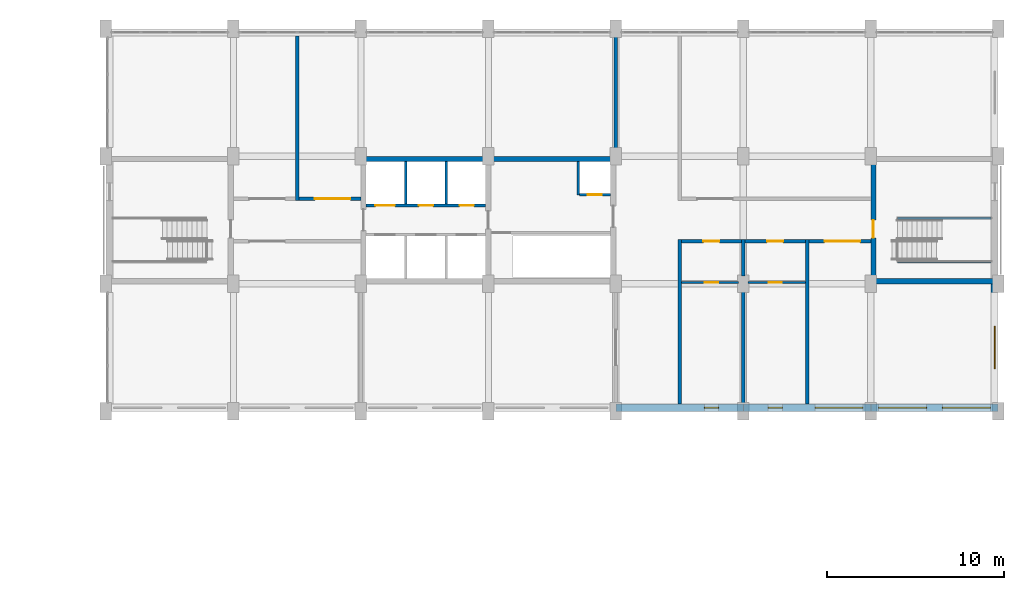
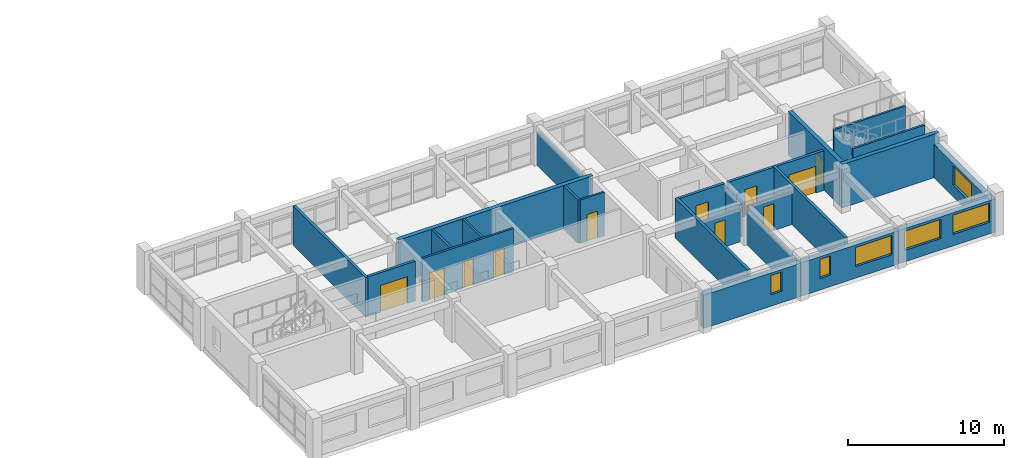
# One storey, part 16 of 19: 26 walls, 11 doors, 6 windows, 17 openings.
"""IFC4 building model written with IfcOpenShell, lengths in metres."""

import ifcopenshell
import ifcopenshell.guid

model = None  # the IFC model being written
_history = None  # IfcOwnerHistory: only IFC2X3 demands one
_inside = {}  # id of a spatial element -> (the spatial element, [elements in it])
_under = {}  # id of a project, library or spatial element -> (it, [spatial elements below it])
_declared = {}  # id of a project -> (the project, [libraries it declares])
_typed = {}  # id of a type object -> (the type object, [elements of that type])
_made_of = {}  # id of a material, layer set ... -> (it, [elements and type objects made of it])


def new_model(schema):
    """Start an empty IFC model of exactly this schema.

    Asked for "IFC4X3", IfcOpenShell would pick the latest addendum, in which some entities
    have other attributes; the version numbers below select the first issue.
    IFC2X3 requires an IfcOwnerHistory on every rooted entity: one is made here for all.
    """
    global model, _history
    if schema == "IFC4X3":
        model = ifcopenshell.file(schema_version=(4, 3, 0, 0))
    else:
        model = ifcopenshell.file(schema=schema)
    _inside.clear()
    _under.clear()
    _declared.clear()
    _typed.clear()
    _made_of.clear()
    _history = None
    if model.schema == "IFC2X3":
        org = make("IfcOrganization", Name="unknown")
        user = make(
            "IfcPersonAndOrganization",
            ThePerson=make("IfcPerson", FamilyName="unknown"),
            TheOrganization=org,
        )
        app = make(
            "IfcApplication",
            ApplicationDeveloper=org,
            Version="unknown",
            ApplicationFullName="unknown",
            ApplicationIdentifier="unknown",
        )
        _history = make(
            "IfcOwnerHistory",
            OwningUser=user,
            OwningApplication=app,
            ChangeAction="ADDED",
            CreationDate=0,
        )
    return model


def make(cls, **values):
    """One entity of the class cls with the attributes given. An attribute that is None is left unset."""
    return model.create_entity(
        cls, **{name: value for name, value in values.items() if value is not None}
    )


def rooted(cls, **values):
    """An entity with a GlobalId (a new one), such as an element, a storey or a relation."""
    return make(cls, GlobalId=ifcopenshell.guid.new(), OwnerHistory=_history, **values)


def si_unit(unit_type, name, prefix=None):
    """IfcSIUnit, for example si_unit("LENGTHUNIT", "METRE", prefix="MILLI")."""
    return make("IfcSIUnit", UnitType=unit_type, Prefix=prefix, Name=name)


def assignment(units):
    """IfcUnitAssignment: the units of a project."""
    return None if units is None else make("IfcUnitAssignment", Units=units)


def point(xyz):
    """IfcCartesianPoint."""
    return None if xyz is None else make("IfcCartesianPoint", Coordinates=xyz)


def direction(xyz):
    """IfcDirection."""
    return None if xyz is None else make("IfcDirection", DirectionRatios=xyz)


def frame(location, z_axis=None, x_axis=None):
    """IfcAxis2Placement3D, a coordinate frame: its origin and axes. An axis left out is left unset."""
    return make(
        "IfcAxis2Placement3D",
        Location=point(location),
        Axis=direction(z_axis),
        RefDirection=direction(x_axis),
    )


def frame_2d(location, x_axis=None):
    """IfcAxis2Placement2D, a coordinate frame in the plane: its origin and x axis."""
    return make(
        "IfcAxis2Placement2D", Location=point(location), RefDirection=direction(x_axis)
    )


def origin():
    """The frame at (0, 0, 0) with its axes left unset."""
    return frame((0.0, 0.0, 0.0))


def place(relative_to, where):
    """IfcLocalPlacement: puts the frame where relative to a parent placement (None: the world)."""
    return make(
        "IfcLocalPlacement", PlacementRelTo=relative_to, RelativePlacement=where
    )


def context(
    kind, dimensions, precision=None, world=None, true_north=None, identifier=None
):
    """IfcGeometricRepresentationContext, for example the 3D "Model" context."""
    return make(
        "IfcGeometricRepresentationContext",
        ContextIdentifier=identifier,
        ContextType=kind,
        CoordinateSpaceDimension=dimensions,
        Precision=precision,
        WorldCoordinateSystem=world,
        TrueNorth=true_north,
    )


def subcontext(parent, identifier, kind, view, scale=None):
    """IfcGeometricRepresentationSubContext, for example "Body" below "Model"."""
    return make(
        "IfcGeometricRepresentationSubContext",
        ContextIdentifier=identifier,
        ContextType=kind,
        ParentContext=parent,
        TargetScale=scale,
        TargetView=view,
    )


def project(units=None, contexts=None):
    """IfcProject with its units and contexts."""
    return rooted(
        "IfcProject",
        Name="project",
        RepresentationContexts=contexts,
        UnitsInContext=assignment(units),
    )


def spatial(cls, under=None, at=None, **own):
    """A site, building, storey or space (cls), placed at a placement, below another one or the project."""
    s = rooted(cls, ObjectPlacement=at, **own)
    if under is not None:
        _under.setdefault(under.id(), (under, []))[1].append(s)
    return s


def profile(cls, at=None, kind="AREA", **sizes):
    """A parametric profile (cls). Its sizes go by their IFC names, for example OverallWidth=200.0."""
    return make(cls, ProfileType=kind, Position=at, **sizes)


def rectangle(**sizes):
    """IfcRectangleProfileDef."""
    return profile("IfcRectangleProfileDef", **sizes)


def extrude(swept, where, along, depth):
    """IfcExtrudedAreaSolid: the profile swept, set in the frame where, extruded along a direction by depth."""
    return make(
        "IfcExtrudedAreaSolid",
        SweptArea=swept,
        Position=where,
        ExtrudedDirection=direction(along),
        Depth=depth,
    )


def shape(context_of_items, identifier, shape_type, items):
    """IfcShapeRepresentation: the items that make up one representation, for example the "Body"."""
    return make(
        "IfcShapeRepresentation",
        ContextOfItems=context_of_items,
        RepresentationIdentifier=identifier,
        RepresentationType=shape_type,
        Items=items,
    )


def material(Name=None, Category=None):
    """IfcMaterial."""
    return make("IfcMaterial", Name=Name, Category=Category)


def layer(
    of_material, thickness, ventilated=None, Name=None, Category=None, Priority=None
):
    """IfcMaterialLayer: one layer of a wall or slab, of a material (None: an air gap)."""
    return make(
        "IfcMaterialLayer",
        Material=of_material,
        LayerThickness=thickness,
        IsVentilated=ventilated,
        Name=Name,
        Category=Category,
        Priority=Priority,
    )


def layer_set(layers, Name=None):
    """IfcMaterialLayerSet."""
    return make("IfcMaterialLayerSet", MaterialLayers=layers, LayerSetName=Name)


def made_of(thing, what):
    """Note that an element or type object is made of a material, layer set ...; save() writes the relation."""
    if what is not None:
        _made_of.setdefault(what.id(), (what, []))[1].append(thing)
    return thing


def type_object(cls, material=None, **own):
    """A type object (cls), such as IfcWallType, which elements share."""
    return made_of(rooted(cls, **own), material)


def element(
    cls,
    number,
    at=None,
    inside=None,
    cuts=None,
    type_object=None,
    material=None,
    context=None,
    identifier="Body",
    shape_type=None,
    held_by="IfcProductDefinitionShape",
    body=None,
    shapes=None,
    **own,
):
    """One element of the class cls, such as IfcWall. Its Tag is "e" and its number.

    at: its placement. inside: the storey or other place that contains it. cuts: it is an
    opening in that element (IfcRelVoidsElement). A single representation is given by context,
    identifier, shape_type and body (its items); several are given by shapes. held_by: the class
    of the entity that holds the representations. save() writes the other relations.
    """
    e = rooted(cls, Tag="e%d" % number, ObjectPlacement=at, **own)
    if body is not None:
        shapes = [shape(context, identifier, shape_type, body)]
    if shapes is not None:
        e.Representation = make(held_by, Representations=shapes)
    if inside is not None:
        _inside.setdefault(inside.id(), (inside, []))[1].append(e)
    if cuts is not None:
        rooted(
            "IfcRelVoidsElement", RelatingBuildingElement=cuts, RelatedOpeningElement=e
        )
    if type_object is not None:
        _typed.setdefault(type_object.id(), (type_object, []))[1].append(e)
    return made_of(e, material)


def fill(opening, filler):
    """IfcRelFillsElement: the door or window that sits in an opening."""
    return rooted(
        "IfcRelFillsElement",
        RelatingOpeningElement=opening,
        RelatedBuildingElement=filler,
    )


def aggregate(whole, parts):
    """IfcRelAggregates: a whole, such as a stair, and the parts it consists of."""
    return rooted("IfcRelAggregates", RelatingObject=whole, RelatedObjects=parts)


def save(model, path):
    """Write the relations noted so far, then the file.

    IfcRelAggregates (storeys below a building ...), IfcRelContainedInSpatialStructure (elements
    in a storey), IfcRelDefinesByType, IfcRelAssociatesMaterial and IfcRelDeclares: one each for
    every whole, place, type object, material and project.
    """
    for whole, parts in _under.values():
        aggregate(whole, parts)
    for where, things in _inside.values():
        rooted(
            "IfcRelContainedInSpatialStructure",
            RelatedElements=things,
            RelatingStructure=where,
        )
    for kind, things in _typed.values():
        rooted("IfcRelDefinesByType", RelatedObjects=things, RelatingType=kind)
    for what, things in _made_of.values():
        rooted("IfcRelAssociatesMaterial", RelatedObjects=things, RelatingMaterial=what)
    for by, libraries in _declared.values():
        rooted("IfcRelDeclares", RelatingContext=by, RelatedDefinitions=libraries)
    model.write(path)


model = new_model("IFC4")

# Units and contexts
model_context = context("Model", 3, precision=1e-05, world=origin(), true_north=direction((0.0, 1.0)))
body_context = subcontext(model_context, "Body", "Model", "MODEL_VIEW")
ifc_project = project(units=[si_unit("LENGTHUNIT", "METRE"), si_unit("AREAUNIT", "SQUARE_METRE"), si_unit("VOLUMEUNIT", "CUBIC_METRE"), si_unit("PLANEANGLEUNIT", "RADIAN"), si_unit("MASSUNIT", "GRAM", prefix="KILO")], contexts=[model_context])

# Site, building, storey
site_placement = place(None, origin())
site = spatial("IfcSite", under=ifc_project, at=site_placement, CompositionType="ELEMENT")
building_placement = place(site_placement, origin())
building = spatial("IfcBuilding", under=site, at=building_placement, Name="Vermilion Court Aquatics Centre", CompositionType="ELEMENT")
storey_placement = place(building_placement, frame((0.0, 0.0, 19.89990234375)))
storey = spatial("IfcBuildingStorey", under=building, at=storey_placement, Name="L04", CompositionType="ELEMENT", Elevation=19.89990234375)

# Wall, opening, window
ifc_material_1 = material(Name="Brick masonry", Category="masonry")
ifc_layer_1 = layer(ifc_material_1, 0.39990234375)
ifc_layer_set_1 = layer_set([ifc_layer_1], Name="North block brick facade wall 400")
wall_type_1 = type_object("IfcWallType", Name="North block brick facade wall 400", PredefinedType="SOLIDWALL", material=ifc_layer_set_1)
wall_1_placement = place(storey_placement, frame((172.800048828125, 93.800048828125, 0.0), z_axis=(0.0, 0.0, 1.0), x_axis=(1.0, 0.0, 0.0)))
wall_1 = element("IfcWall", 1, at=wall_1_placement, inside=storey, type_object=wall_type_1, Name="Brick facade wall S5 L04", PredefinedType="SOLIDWALL", context=body_context, shape_type="SweptSolid", body=[
    extrude(rectangle(XDim=7.199951171875, YDim=0.39990234375, at=frame_2d((3.60009765625, 0.0))), origin(), (0.0, 0.0, 1.0), 2.60009765625),
])
opening_1_placement = place(wall_1_placement, frame((5.0, 0.0, 0.89990234375)))
opening_1 = element("IfcOpeningElement", 2, at=opening_1_placement, cuts=wall_1, Name="Opening UWN9", PredefinedType="OPENING", context=body_context, shape_type="SweptSolid", body=[
    extrude(rectangle(XDim=0.800048828125, YDim=1.5, at=frame_2d((0.39990234375, 0.75))), frame((0.0, 0.2099609375, 0.0), z_axis=(0.0, -1.0, 0.0), x_axis=(1.0, 0.0, 0.0)), (0.0, 0.0, 1.0), 0.419921875),
])
ifc_material_2 = material(Name="Aluminium 6063-T5", Category="aluminium")
window_type_1 = type_object("IfcWindowType", Name="North block service room window 800x1500", PartitioningType="SINGLE_PANEL", PredefinedType="WINDOW", material=ifc_material_2)
window_1_placement = place(opening_1_placement, origin())
window_1 = element("IfcWindow", 3, at=window_1_placement, inside=storey, type_object=window_type_1, Name="Store window 0404 L04", OverallHeight=1.5, OverallWidth=0.800048828125, PartitioningType="SINGLE_PANEL", PredefinedType="WINDOW", context=body_context, shape_type="SweptSolid", body=[
    extrude(rectangle(XDim=0.800048828125, YDim=1.5, at=frame_2d((0.39990234375, 0.75))), frame((0.0, 0.030029296875, 0.0), z_axis=(0.0, -1.0, 0.0), x_axis=(1.0, 0.0, 0.0)), (0.0, 0.0, 1.0), 0.06005859375),
])
fill(opening_1, window_1)

# Wall, openings, windows
wall_2_placement = place(storey_placement, frame((180.0, 93.800048828125, 0.0), z_axis=(0.0, 0.0, 1.0), x_axis=(1.0, 0.0, 0.0)))
wall_2 = element("IfcWall", 4, at=wall_2_placement, inside=storey, type_object=wall_type_1, Name="Brick facade wall S6 L04", PredefinedType="SOLIDWALL", context=body_context, shape_type="SweptSolid", body=[
    extrude(rectangle(XDim=7.199951171875, YDim=0.39990234375, at=frame_2d((3.60009765625, 0.0))), origin(), (0.0, 0.0, 1.0), 2.60009765625),
])
opening_2_placement = place(wall_2_placement, frame((1.39990234375, 0.0, 0.89990234375)))
opening_2 = element("IfcOpeningElement", 5, at=opening_2_placement, cuts=wall_2, Name="Opening UWN9", PredefinedType="OPENING", context=body_context, shape_type="SweptSolid", body=[
    extrude(rectangle(XDim=0.800048828125, YDim=1.5, at=frame_2d((0.39990234375, 0.75))), frame((0.0, 0.2099609375, 0.0), z_axis=(0.0, -1.0, 0.0), x_axis=(1.0, 0.0, 0.0)), (0.0, 0.0, 1.0), 0.419921875),
])
opening_3_placement = place(wall_2_placement, frame((4.050048828125, 0.0, 0.89990234375)))
opening_3 = element("IfcOpeningElement", 6, at=opening_3_placement, cuts=wall_2, Name="Opening UWN8", PredefinedType="OPENING", context=body_context, shape_type="SweptSolid", body=[
    extrude(rectangle(XDim=2.699951171875, YDim=1.5, at=frame_2d((1.35009765625, 0.75))), frame((0.0, 0.2099609375, 0.0), z_axis=(0.0, -1.0, 0.0), x_axis=(1.0, 0.0, 0.0)), (0.0, 0.0, 1.0), 0.419921875),
])
ifc_material_3 = material(Name="Aluminium 6063-T5", Category="aluminium")
window_type_2 = type_object("IfcWindowType", Name="North block hall window 2700x1500", PartitioningType="TRIPLE_PANEL_VERTICAL", PredefinedType="WINDOW", material=ifc_material_3)
window_2_placement = place(opening_3_placement, origin())
window_2 = element("IfcWindow", 7, at=window_2_placement, inside=storey, type_object=window_type_2, Name="Window s 11 L04", OverallHeight=1.5, OverallWidth=2.699951171875, PartitioningType="TRIPLE_PANEL_VERTICAL", PredefinedType="WINDOW", context=body_context, shape_type="SweptSolid", body=[
    extrude(rectangle(XDim=2.699951171875, YDim=1.5, at=frame_2d((1.35009765625, 0.75))), frame((0.0, 0.030029296875, 0.0), z_axis=(0.0, -1.0, 0.0), x_axis=(1.0, 0.0, 0.0)), (0.0, 0.0, 1.0), 0.06005859375),
])
fill(opening_3, window_2)
window_3_placement = place(opening_2_placement, origin())
window_3 = element("IfcWindow", 8, at=window_3_placement, inside=storey, type_object=window_type_1, Name="Store window 0405 L04", OverallHeight=1.5, OverallWidth=0.800048828125, PartitioningType="SINGLE_PANEL", PredefinedType="WINDOW", context=body_context, shape_type="SweptSolid", body=[
    extrude(rectangle(XDim=0.800048828125, YDim=1.5, at=frame_2d((0.39990234375, 0.75))), frame((0.0, 0.030029296875, 0.0), z_axis=(0.0, -1.0, 0.0), x_axis=(1.0, 0.0, 0.0)), (0.0, 0.0, 1.0), 0.06005859375),
])
fill(opening_2, window_3)

wall_3_placement = place(storey_placement, frame((187.199951171875, 93.800048828125, 0.0), z_axis=(0.0, 0.0, 1.0), x_axis=(1.0, 0.0, 0.0)))
wall_3 = element("IfcWall", 9, at=wall_3_placement, inside=storey, type_object=wall_type_1, Name="Brick facade wall S7 L04", PredefinedType="SOLIDWALL", context=body_context, shape_type="SweptSolid", body=[
    extrude(rectangle(XDim=7.199951171875, YDim=0.39990234375, at=frame_2d((3.60009765625, 0.0))), origin(), (0.0, 0.0, 1.0), 2.60009765625),
])
opening_4_placement = place(wall_3_placement, frame((0.449951171875, 0.0, 0.89990234375)))
opening_4 = element("IfcOpeningElement", 10, at=opening_4_placement, cuts=wall_3, Name="Opening UWN8", PredefinedType="OPENING", context=body_context, shape_type="SweptSolid", body=[
    extrude(rectangle(XDim=2.699951171875, YDim=1.5, at=frame_2d((1.35009765625, 0.75))), frame((0.0, 0.2099609375, 0.0), z_axis=(0.0, -1.0, 0.0), x_axis=(1.0, 0.0, 0.0)), (0.0, 0.0, 1.0), 0.419921875),
])
opening_5_placement = place(wall_3_placement, frame((4.050048828125, 0.0, 0.89990234375)))
opening_5 = element("IfcOpeningElement", 11, at=opening_5_placement, cuts=wall_3, Name="Opening UWN8", PredefinedType="OPENING", context=body_context, shape_type="SweptSolid", body=[
    extrude(rectangle(XDim=2.699951171875, YDim=1.5, at=frame_2d((1.35009765625, 0.75))), frame((0.0, 0.2099609375, 0.0), z_axis=(0.0, -1.0, 0.0), x_axis=(1.0, 0.0, 0.0)), (0.0, 0.0, 1.0), 0.419921875),
])
window_4_placement = place(opening_4_placement, origin())
window_4 = element("IfcWindow", 12, at=window_4_placement, inside=storey, type_object=window_type_2, Name="Window s 12 L04", OverallHeight=1.5, OverallWidth=2.699951171875, PartitioningType="TRIPLE_PANEL_VERTICAL", PredefinedType="WINDOW", context=body_context, shape_type="SweptSolid", body=[
    extrude(rectangle(XDim=2.699951171875, YDim=1.5, at=frame_2d((1.35009765625, 0.75))), frame((0.0, 0.030029296875, 0.0), z_axis=(0.0, -1.0, 0.0), x_axis=(1.0, 0.0, 0.0)), (0.0, 0.0, 1.0), 0.06005859375),
])
fill(opening_4, window_4)
window_5_placement = place(opening_5_placement, origin())
window_5 = element("IfcWindow", 13, at=window_5_placement, inside=storey, type_object=window_type_2, Name="Window s 13 L04", OverallHeight=1.5, OverallWidth=2.699951171875, PartitioningType="TRIPLE_PANEL_VERTICAL", PredefinedType="WINDOW", context=body_context, shape_type="SweptSolid", body=[
    extrude(rectangle(XDim=2.699951171875, YDim=1.5, at=frame_2d((1.35009765625, 0.75))), frame((0.0, 0.030029296875, 0.0), z_axis=(0.0, -1.0, 0.0), x_axis=(1.0, 0.0, 0.0)), (0.0, 0.0, 1.0), 0.06005859375),
])
fill(opening_5, window_5)

# Wall, opening, window
wall_4_placement = place(storey_placement, frame((194.199951171875, 93.60009765625, 0.0), z_axis=(0.0, 0.0, 1.0), x_axis=(0.0, 1.0, 0.0)))
wall_4 = element("IfcWall", 14, at=wall_4_placement, inside=storey, type_object=wall_type_1, Name="Brick facade wall E1 L04", PredefinedType="SOLIDWALL", context=body_context, shape_type="SweptSolid", body=[
    extrude(rectangle(XDim=7.199951171875, YDim=0.39990234375, at=frame_2d((3.60009765625, 0.0))), origin(), (0.0, 0.0, 1.0), 2.60009765625),
])
opening_6_placement = place(wall_4_placement, frame((2.39990234375, 0.0, 0.89990234375)))
opening_6 = element("IfcOpeningElement", 15, at=opening_6_placement, cuts=wall_4, Name="Opening UWN3", PredefinedType="OPENING", context=body_context, shape_type="SweptSolid", body=[
    extrude(rectangle(XDim=2.39990234375, YDim=1.5, at=frame_2d((1.199951171875, 0.75))), frame((0.0, 0.2099609375, 0.0), z_axis=(0.0, -1.0, 0.0), x_axis=(1.0, 0.0, 0.0)), (0.0, 0.0, 1.0), 0.419921875),
])
ifc_material_4 = material(Name="Aluminium 6063-T5", Category="aluminium")
window_type_3 = type_object("IfcWindowType", Name="North block corner window 2400x1500", PartitioningType="DOUBLE_PANEL_VERTICAL", PredefinedType="WINDOW", material=ifc_material_4)
window_6_placement = place(opening_6_placement, origin())
window_6 = element("IfcWindow", 16, at=window_6_placement, inside=storey, type_object=window_type_3, Name="End window SE", OverallHeight=1.5, OverallWidth=2.39990234375, PartitioningType="DOUBLE_PANEL_VERTICAL", PredefinedType="WINDOW", context=body_context, shape_type="SweptSolid", body=[
    extrude(rectangle(XDim=2.39990234375, YDim=1.5, at=frame_2d((1.199951171875, 0.75))), frame((0.0, 0.030029296875, 0.0), z_axis=(0.0, -1.0, 0.0), x_axis=(1.0, 0.0, 0.0)), (0.0, 0.0, 1.0), 0.06005859375),
])
fill(opening_6, window_6)

# Walls
ifc_material_5 = material(Name="Concrete 8000 psi", Category="concrete")
ifc_layer_2 = layer(ifc_material_5, 0.300048828125)
ifc_layer_set_2 = layer_set([ifc_layer_2], Name="North block core shear wall 300")
wall_type_2 = type_object("IfcWallType", Name="North block core shear wall 300", PredefinedType="SHEAR", material=ifc_layer_set_2)
wall_5_placement = place(storey_placement, frame((158.39990234375, 107.85009765625, 0.0), z_axis=(0.0, 0.0, 1.0), x_axis=(1.0, 0.0, 0.0)))
element("IfcWall", 17, at=wall_5_placement, inside=storey, type_object=wall_type_2, Name="Core shear wall north L04", PredefinedType="SHEAR", context=body_context, shape_type="SweptSolid", body=[
    extrude(rectangle(XDim=14.400146484375, YDim=0.300048828125, at=frame_2d((7.2001953125, 0.0))), origin(), (0.0, 0.0, 1.0), 3.400146484375),
])
wall_6_placement = place(storey_placement, frame((194.39990234375, 100.949951171875, 0.0), z_axis=(0.0, 0.0, 1.0), x_axis=(-1.0, 0.0, 0.0)))
element("IfcWall", 18, at=wall_6_placement, inside=storey, type_object=wall_type_2, Name="Stair 2 shear wall south L04", PredefinedType="SHEAR", context=body_context, shape_type="SweptSolid", body=[
    extrude(rectangle(XDim=7.199951171875, YDim=0.300048828125, at=frame_2d((3.60009765625, 0.0))), origin(), (0.0, 0.0, 1.0), 3.400146484375),
])

# Wall, opening, door
wall_7_placement = place(storey_placement, frame((187.35009765625, 101.10009765625, 0.0), z_axis=(0.0, 0.0, 1.0), x_axis=(0.0, 1.0, 0.0)))
wall_7 = element("IfcWall", 19, at=wall_7_placement, inside=storey, type_object=wall_type_2, Name="Stair 2 shear wall inner L04", PredefinedType="SHEAR", context=body_context, shape_type="SweptSolid", body=[
    extrude(rectangle(XDim=6.599853515625, YDim=0.300048828125, at=frame_2d((3.2998046875, 0.0))), origin(), (0.0, 0.0, 1.0), 3.400146484375),
])
opening_7_placement = place(wall_7_placement, frame((2.300048828125, 0.0, 0.0)))
opening_7 = element("IfcOpeningElement", 20, at=opening_7_placement, cuts=wall_7, Name="Opening U04-019", PredefinedType="OPENING", context=body_context, shape_type="SweptSolid", body=[
    extrude(rectangle(XDim=1.0, YDim=2.10009765625, at=frame_2d((0.5, 1.050048828125))), frame((0.0, 0.159912109375, 0.0), z_axis=(0.0, -1.0, 0.0), x_axis=(1.0, 0.0, 0.0)), (0.0, 0.0, 1.0), 0.320068359375),
])
ifc_material_6 = material(Name="Hollow metal")
door_type_1 = type_object("IfcDoorType", Name="North block fire door FD90 1000x2100", OperationType="NOTDEFINED", PredefinedType="DOOR", material=ifc_material_6)
door_1_placement = place(opening_7_placement, frame((1.0, 0.0, 0.0), z_axis=(0.0, 0.0, 1.0), x_axis=(-1.0, 0.0, 0.0)))
door_1 = element("IfcDoor", 21, at=door_1_placement, inside=storey, type_object=door_type_1, Name="Stair 2 door L04", OperationType="SINGLE_SWING_RIGHT", OverallHeight=2.10009765625, OverallWidth=1.0, PredefinedType="DOOR", context=body_context, shape_type="SweptSolid", body=[
    extrude(rectangle(XDim=1.0, YDim=2.10009765625, at=frame_2d((0.5, 1.050048828125))), frame((0.0, 0.025146484375, 0.0), z_axis=(0.0, -1.0, 0.0), x_axis=(1.0, 0.0, 0.0)), (0.0, 0.0, 1.0), 0.050048828125),
])
fill(opening_7, door_1)

# Walls
ifc_material_7 = material(Name="Concrete 5000 psi", Category="concrete")
ifc_layer_3 = layer(ifc_material_7, 0.14990234375)
ifc_layer_set_3 = layer_set([ifc_layer_3], Name="North block lift shaft partition 150")
wall_type_3 = type_object("IfcWallType", Name="North block lift shaft partition 150", PredefinedType="PARTITIONING", material=ifc_layer_set_3)
for number, where, z_axis, x_axis, name in (
    (22, (160.925048828125, 105.300048828125, 0.0), (0.0, 0.0, 1.0), (0.0, 1.0, 0.0), "Lift shaft wall N1 L04"),
    (23, (163.22509765625, 105.300048828125, 0.0), (0.0, 0.0, 1.0), (0.0, 1.0, 0.0), "Lift shaft wall N2 L04"),
):
    element("IfcWall", number, at=place(storey_placement, frame(where, z_axis=z_axis, x_axis=x_axis)), inside=storey, type_object=wall_type_3, Name=name, PredefinedType="PARTITIONING", context=body_context, shape_type="SweptSolid", body=[
        extrude(rectangle(XDim=2.39990234375, YDim=0.14990234375, at=frame_2d((1.199951171875, 0.0))), origin(), (0.0, 0.0, 1.0), 3.400146484375),
    ])

# Wall, openings, doors
wall_8_placement = place(storey_placement, frame((158.699951171875, 105.22509765625, 0.0), z_axis=(0.0, 0.0, 1.0), x_axis=(1.0, 0.0, 0.0)))
wall_8 = element("IfcWall", 24, at=wall_8_placement, inside=storey, type_object=wall_type_3, Name="Lift shaft front wall N L04", PredefinedType="PARTITIONING", context=body_context, shape_type="SweptSolid", body=[
    extrude(rectangle(XDim=6.75, YDim=0.14990234375, at=frame_2d((3.375, 0.0))), origin(), (0.0, 0.0, 1.0), 3.400146484375),
])
opening_8_placement = place(wall_8_placement, frame((0.52490234375, 0.0, 0.0)))
opening_8 = element("IfcOpeningElement", 25, at=opening_8_placement, cuts=wall_8, Name="Opening LD4-04", PredefinedType="OPENING", context=body_context, shape_type="SweptSolid", body=[
    extrude(rectangle(XDim=1.10009765625, YDim=2.10009765625, at=frame_2d((0.550048828125, 1.050048828125))), frame((0.0, 0.0849609375, 0.0), z_axis=(0.0, -1.0, 0.0), x_axis=(1.0, 0.0, 0.0)), (0.0, 0.0, 1.0), 0.169921875),
])
opening_9_placement = place(wall_8_placement, frame((2.97509765625, 0.0, 0.0)))
opening_9 = element("IfcOpeningElement", 26, at=opening_9_placement, cuts=wall_8, Name="Opening U04-011", PredefinedType="OPENING", context=body_context, shape_type="SweptSolid", body=[
    extrude(rectangle(XDim=0.800048828125, YDim=2.10009765625, at=frame_2d((0.39990234375, 1.050048828125))), frame((0.0, 0.0849609375, 0.0), z_axis=(0.0, -1.0, 0.0), x_axis=(1.0, 0.0, 0.0)), (0.0, 0.0, 1.0), 0.169921875),
])
opening_10_placement = place(wall_8_placement, frame((5.27490234375, 0.0, 0.0)))
opening_10 = element("IfcOpeningElement", 27, at=opening_10_placement, cuts=wall_8, Name="Opening U04-012", PredefinedType="OPENING", context=body_context, shape_type="SweptSolid", body=[
    extrude(rectangle(XDim=0.800048828125, YDim=2.10009765625, at=frame_2d((0.39990234375, 1.050048828125))), frame((0.0, 0.0849609375, 0.0), z_axis=(0.0, -1.0, 0.0), x_axis=(1.0, 0.0, 0.0)), (0.0, 0.0, 1.0), 0.169921875),
])
ifc_material_8 = material(Name="Hollow metal")
door_type_2 = type_object("IfcDoorType", Name="North block lift landing door 1100x2100", OperationType="DOUBLE_DOOR_SLIDING", PredefinedType="DOOR", material=ifc_material_8)
door_2_placement = place(opening_8_placement, origin())
door_2 = element("IfcDoor", 28, at=door_2_placement, inside=storey, type_object=door_type_2, Name="Lift landing door L4 L04", OperationType="DOUBLE_DOOR_SLIDING", OverallHeight=2.10009765625, OverallWidth=1.10009765625, PredefinedType="DOOR", context=body_context, shape_type="SweptSolid", body=[
    extrude(rectangle(XDim=1.10009765625, YDim=2.10009765625, at=frame_2d((0.550048828125, 1.050048828125))), frame((0.0, 0.02490234375, 0.0), z_axis=(0.0, -1.0, 0.0), x_axis=(1.0, 0.0, 0.0)), (0.0, 0.0, 1.0), 0.050048828125),
])
fill(opening_8, door_2)
ifc_material_9 = material(Name="Hollow metal")
door_type_3 = type_object("IfcDoorType", Name="North block riser door FD90 800x2100", OperationType="NOTDEFINED", PredefinedType="DOOR", material=ifc_material_9)
door_3_placement = place(opening_9_placement, frame((0.800048828125, 0.0, 0.0), z_axis=(0.0, 0.0, 1.0), x_axis=(-1.0, 0.0, 0.0)))
door_3 = element("IfcDoor", 29, at=door_3_placement, inside=storey, type_object=door_type_3, Name="Electrical Riser door L04", OperationType="SINGLE_SWING_RIGHT", OverallHeight=2.10009765625, OverallWidth=0.800048828125, PredefinedType="DOOR", context=body_context, shape_type="SweptSolid", body=[
    extrude(rectangle(XDim=0.800048828125, YDim=2.10009765625, at=frame_2d((0.400146484375, 1.050048828125))), frame((0.0, 0.025146484375, 0.0), z_axis=(0.0, -1.0, 0.0), x_axis=(1.0, 0.0, 0.0)), (0.0, 0.0, 1.0), 0.050048828125),
])
fill(opening_9, door_3)
door_4_placement = place(opening_10_placement, frame((0.800048828125, 0.0, 0.0), z_axis=(0.0, 0.0, 1.0), x_axis=(-1.0, 0.0, 0.0)))
door_4 = element("IfcDoor", 30, at=door_4_placement, inside=storey, type_object=door_type_3, Name="Plumbing Riser door L04", OperationType="SINGLE_SWING_LEFT", OverallHeight=2.10009765625, OverallWidth=0.800048828125, PredefinedType="DOOR", context=body_context, shape_type="SweptSolid", body=[
    extrude(rectangle(XDim=0.800048828125, YDim=2.10009765625, at=frame_2d((0.400146484375, 1.050048828125))), frame((0.0, 0.025146484375, 0.0), z_axis=(0.0, -1.0, 0.0), x_axis=(1.0, 0.0, 0.0)), (0.0, 0.0, 1.0), 0.050048828125),
])
fill(opening_10, door_4)

# Wall
wall_9_placement = place(storey_placement, frame((170.675048828125, 105.824951171875, 0.0), z_axis=(0.0, 0.0, 1.0), x_axis=(0.0, 1.0, 0.0)))
element("IfcWall", 31, at=wall_9_placement, inside=storey, type_object=wall_type_3, Name="Riser shaft wall west L04", PredefinedType="PARTITIONING", context=body_context, shape_type="SweptSolid", body=[
    extrude(rectangle(XDim=1.875, YDim=0.14990234375, at=frame_2d((0.9375, 0.0))), origin(), (0.0, 0.0, 1.0), 3.400146484375),
])

# Wall, opening, door
wall_10_placement = place(storey_placement, frame((170.75, 105.824951171875, 0.0), z_axis=(0.0, 0.0, 1.0), x_axis=(1.0, 0.0, 0.0)))
wall_10 = element("IfcWall", 32, at=wall_10_placement, inside=storey, type_object=wall_type_3, Name="Riser shaft wall south L04", PredefinedType="PARTITIONING", context=body_context, shape_type="SweptSolid", body=[
    extrude(rectangle(XDim=1.75, YDim=0.14990234375, at=frame_2d((0.875, 0.0))), origin(), (0.0, 0.0, 1.0), 3.400146484375),
])
opening_11_placement = place(wall_10_placement, frame((0.449951171875, 0.0, 0.0)))
opening_11 = element("IfcOpeningElement", 33, at=opening_11_placement, cuts=wall_10, Name="Opening U04-017", PredefinedType="OPENING", context=body_context, shape_type="SweptSolid", body=[
    extrude(rectangle(XDim=0.800048828125, YDim=2.10009765625, at=frame_2d((0.39990234375, 1.050048828125))), frame((0.0, 0.0849609375, 0.0), z_axis=(0.0, -1.0, 0.0), x_axis=(1.0, 0.0, 0.0)), (0.0, 0.0, 1.0), 0.169921875),
])
door_5_placement = place(opening_11_placement, origin())
door_5 = element("IfcDoor", 34, at=door_5_placement, inside=storey, type_object=door_type_3, Name="Riser door L04", OperationType="SINGLE_SWING_LEFT", OverallHeight=2.10009765625, OverallWidth=0.800048828125, PredefinedType="DOOR", context=body_context, shape_type="SweptSolid", body=[
    extrude(rectangle(XDim=0.800048828125, YDim=2.10009765625, at=frame_2d((0.39990234375, 1.050048828125))), frame((0.0, 0.02490234375, 0.0), z_axis=(0.0, -1.0, 0.0), x_axis=(1.0, 0.0, 0.0)), (0.0, 0.0, 1.0), 0.050048828125),
])
fill(opening_11, door_5)

# Wall
ifc_material_10 = material(Name="Concrete masonry ASTM C90 Type I", Category="masonry")
ifc_layer_4 = layer(ifc_material_10, 0.199951171875)
ifc_layer_set_4 = layer_set([ifc_layer_4], Name="North block party wall 200")
wall_type_4 = type_object("IfcWallType", Name="North block party wall 200", PredefinedType="PARTITIONING", material=ifc_layer_set_4)
wall_11_placement = place(storey_placement, frame((176.39990234375, 94.0, 0.0), z_axis=(0.0, 0.0, 1.0), x_axis=(0.0, 1.0, 0.0)))
element("IfcWall", 35, at=wall_11_placement, inside=storey, type_object=wall_type_4, Name="Party wall s 9", PredefinedType="PARTITIONING", context=body_context, shape_type="SweptSolid", body=[
    extrude(rectangle(XDim=9.300048828125, YDim=0.199951171875, at=frame_2d((4.64990234375, 0.0))), origin(), (0.0, 0.0, 1.0), 3.10009765625),
])

# Wall, opening, door
wall_12_placement = place(storey_placement, frame((176.5, 103.199951171875, 0.0), z_axis=(0.0, 0.0, 1.0), x_axis=(1.0, 0.0, 0.0)))
wall_12 = element("IfcWall", 36, at=wall_12_placement, inside=storey, type_object=wall_type_4, Name="Corridor wall 0404", PredefinedType="PARTITIONING", context=body_context, shape_type="SweptSolid", body=[
    extrude(rectangle(XDim=3.39990234375, YDim=0.199951171875, at=frame_2d((1.699951171875, 0.0))), origin(), (0.0, 0.0, 1.0), 3.10009765625),
])
opening_12_placement = place(wall_12_placement, frame((1.25, 0.0, 0.0)))
opening_12 = element("IfcOpeningElement", 37, at=opening_12_placement, cuts=wall_12, Name="Opening U04-004", PredefinedType="OPENING", context=body_context, shape_type="SweptSolid", body=[
    extrude(rectangle(XDim=0.89990234375, YDim=2.10009765625, at=frame_2d((0.449951171875, 1.050048828125))), frame((0.0, 0.10986328125, 0.0), z_axis=(0.0, -1.0, 0.0), x_axis=(1.0, 0.0, 0.0)), (0.0, 0.0, 1.0), 0.219970703125),
])
ifc_material_11 = material(Name="Timber door leaf", Category="wood")
door_type_4 = type_object("IfcDoorType", Name="North block room door FD20 900x2100", OperationType="NOTDEFINED", PredefinedType="DOOR", material=ifc_material_11)
door_6_placement = place(opening_12_placement, frame((0.89990234375, 0.0, 0.0), z_axis=(0.0, 0.0, 1.0), x_axis=(-1.0, 0.0, 0.0)))
door_6 = element("IfcDoor", 38, at=door_6_placement, inside=storey, type_object=door_type_4, Name="Accessible WC door 0404", OperationType="SINGLE_SWING_RIGHT", OverallHeight=2.10009765625, OverallWidth=0.89990234375, PredefinedType="DOOR", context=body_context, shape_type="SweptSolid", body=[
    extrude(rectangle(XDim=0.89990234375, YDim=2.10009765625, at=frame_2d((0.449951171875, 1.050048828125))), frame((0.0, 0.025146484375, 0.0), z_axis=(0.0, -1.0, 0.0), x_axis=(1.0, 0.0, 0.0)), (0.0, 0.0, 1.0), 0.050048828125),
])
fill(opening_12, door_6)

# Walls
wall_13_placement = place(storey_placement, frame((180.0, 94.0, 0.0), z_axis=(0.0, 0.0, 1.0), x_axis=(0.0, 1.0, 0.0)))
element("IfcWall", 39, at=wall_13_placement, inside=storey, type_object=wall_type_4, Name="Party wall s 10", PredefinedType="PARTITIONING", context=body_context, shape_type="SweptSolid", body=[
    extrude(rectangle(XDim=6.35009765625, YDim=0.199951171875, at=frame_2d((3.175048828125, 0.0))), origin(), (0.0, 0.0, 1.0), 2.550048828125),
])
wall_14_placement = place(storey_placement, frame((180.0, 101.25, 0.0), z_axis=(0.0, 0.0, 1.0), x_axis=(0.0, 1.0, 0.0)))
element("IfcWall", 40, at=wall_14_placement, inside=storey, type_object=wall_type_4, Name="Party wall s 10", PredefinedType="PARTITIONING", context=body_context, shape_type="SweptSolid", body=[
    extrude(rectangle(XDim=2.050048828125, YDim=0.199951171875, at=frame_2d((1.02490234375, 0.0))), origin(), (0.0, 0.0, 1.0), 2.550048828125),
])

# Wall, opening, door
wall_15_placement = place(storey_placement, frame((180.10009765625, 103.199951171875, 0.0), z_axis=(0.0, 0.0, 1.0), x_axis=(1.0, 0.0, 0.0)))
wall_15 = element("IfcWall", 41, at=wall_15_placement, inside=storey, type_object=wall_type_4, Name="Corridor wall 0405", PredefinedType="PARTITIONING", context=body_context, shape_type="SweptSolid", body=[
    extrude(rectangle(XDim=3.39990234375, YDim=0.199951171875, at=frame_2d((1.699951171875, 0.0))), origin(), (0.0, 0.0, 1.0), 3.10009765625),
])
opening_13_placement = place(wall_15_placement, frame((1.25, 0.0, 0.0)))
opening_13 = element("IfcOpeningElement", 42, at=opening_13_placement, cuts=wall_15, Name="Opening U04-006", PredefinedType="OPENING", context=body_context, shape_type="SweptSolid", body=[
    extrude(rectangle(XDim=0.89990234375, YDim=2.10009765625, at=frame_2d((0.449951171875, 1.050048828125))), frame((0.0, 0.10986328125, 0.0), z_axis=(0.0, -1.0, 0.0), x_axis=(1.0, 0.0, 0.0)), (0.0, 0.0, 1.0), 0.219970703125),
])
door_7_placement = place(opening_13_placement, frame((0.89990234375, 0.0, 0.0), z_axis=(0.0, 0.0, 1.0), x_axis=(-1.0, 0.0, 0.0)))
door_7 = element("IfcDoor", 43, at=door_7_placement, inside=storey, type_object=door_type_4, Name="WC door 0405", OperationType="SINGLE_SWING_LEFT", OverallHeight=2.10009765625, OverallWidth=0.89990234375, PredefinedType="DOOR", context=body_context, shape_type="SweptSolid", body=[
    extrude(rectangle(XDim=0.89990234375, YDim=2.10009765625, at=frame_2d((0.449951171875, 1.050048828125))), frame((0.0, 0.025146484375, 0.0), z_axis=(0.0, -1.0, 0.0), x_axis=(1.0, 0.0, 0.0)), (0.0, 0.0, 1.0), 0.050048828125),
])
fill(opening_13, door_7)

# Wall
wall_16_placement = place(storey_placement, frame((183.60009765625, 94.0, 0.0), z_axis=(0.0, 0.0, 1.0), x_axis=(0.0, 1.0, 0.0)))
element("IfcWall", 44, at=wall_16_placement, inside=storey, type_object=wall_type_4, Name="Party wall s 11", PredefinedType="PARTITIONING", context=body_context, shape_type="SweptSolid", body=[
    extrude(rectangle(XDim=9.300048828125, YDim=0.199951171875, at=frame_2d((4.64990234375, 0.0))), origin(), (0.0, 0.0, 1.0), 3.10009765625),
])

# Wall, opening, door
wall_17_placement = place(storey_placement, frame((183.699951171875, 103.199951171875, 0.0), z_axis=(0.0, 0.0, 1.0), x_axis=(1.0, 0.0, 0.0)))
wall_17 = element("IfcWall", 45, at=wall_17_placement, inside=storey, type_object=wall_type_4, Name="Corridor wall 0406", PredefinedType="PARTITIONING", context=body_context, shape_type="SweptSolid", body=[
    extrude(rectangle(XDim=3.5, YDim=0.199951171875, at=frame_2d((1.75, 0.0))), origin(), (0.0, 0.0, 1.0), 3.10009765625),
])
opening_14_placement = place(wall_17_placement, frame((0.89990234375, 0.0, 0.0)))
opening_14 = element("IfcOpeningElement", 46, at=opening_14_placement, cuts=wall_17, Name="Opening U04-007", PredefinedType="OPENING", context=body_context, shape_type="SweptSolid", body=[
    extrude(rectangle(XDim=2.0, YDim=2.10009765625, at=frame_2d((1.0, 1.050048828125))), frame((0.0, 0.10986328125, 0.0), z_axis=(0.0, -1.0, 0.0), x_axis=(1.0, 0.0, 0.0)), (0.0, 0.0, 1.0), 0.219970703125),
])
ifc_material_12 = material(Name="Timber door leaf", Category="wood")
door_type_5 = type_object("IfcDoorType", Name="North block hall double door 2000x2100", OperationType="DOUBLE_DOOR_SINGLE_SWING", PredefinedType="DOOR", material=ifc_material_12)
door_8_placement = place(opening_14_placement, frame((2.0, 0.0, 0.0), z_axis=(0.0, 0.0, 1.0), x_axis=(-1.0, 0.0, 0.0)))
door_8 = element("IfcDoor", 47, at=door_8_placement, inside=storey, type_object=door_type_5, Name="Relaxation Room door 0406", OperationType="DOUBLE_DOOR_SINGLE_SWING", OverallHeight=2.10009765625, OverallWidth=2.0, PredefinedType="DOOR", context=body_context, shape_type="SweptSolid", body=[
    extrude(rectangle(XDim=2.0, YDim=2.10009765625, at=frame_2d((1.0, 1.050048828125))), frame((0.0, 0.025146484375, 0.0), z_axis=(0.0, -1.0, 0.0), x_axis=(1.0, 0.0, 0.0)), (0.0, 0.0, 1.0), 0.050048828125),
])
fill(opening_14, door_8)

# Wall
wall_18_placement = place(storey_placement, frame((154.800048828125, 105.5, 0.0), z_axis=(0.0, 0.0, 1.0), x_axis=(0.0, 1.0, 0.0)))
element("IfcWall", 48, at=wall_18_placement, inside=storey, type_object=wall_type_4, Name="Party wall n 3", PredefinedType="PARTITIONING", context=body_context, shape_type="SweptSolid", body=[
    extrude(rectangle(XDim=9.300048828125, YDim=0.199951171875, at=frame_2d((4.64990234375, 0.0))), origin(), (0.0, 0.0, 1.0), 3.10009765625),
])

# Wall, opening, door
wall_19_placement = place(storey_placement, frame((154.89990234375, 105.60009765625, 0.0), z_axis=(0.0, 0.0, 1.0), x_axis=(1.0, 0.0, 0.0)))
wall_19 = element("IfcWall", 49, at=wall_19_placement, inside=storey, type_object=wall_type_4, Name="Corridor wall 0408", PredefinedType="PARTITIONING", context=body_context, shape_type="SweptSolid", body=[
    extrude(rectangle(XDim=3.5, YDim=0.199951171875, at=frame_2d((1.75, 0.0))), origin(), (0.0, 0.0, 1.0), 3.10009765625),
])
opening_15_placement = place(wall_19_placement, frame((0.89990234375, 0.0, 0.0)))
opening_15 = element("IfcOpeningElement", 50, at=opening_15_placement, cuts=wall_19, Name="Opening U04-009", PredefinedType="OPENING", context=body_context, shape_type="SweptSolid", body=[
    extrude(rectangle(XDim=2.0, YDim=2.10009765625, at=frame_2d((1.0, 1.050048828125))), frame((0.0, 0.10986328125, 0.0), z_axis=(0.0, -1.0, 0.0), x_axis=(1.0, 0.0, 0.0)), (0.0, 0.0, 1.0), 0.219970703125),
])
door_9_placement = place(opening_15_placement, frame((2.0, 0.0, 0.0), z_axis=(0.0, 0.0, 1.0), x_axis=(-1.0, 0.0, 0.0)))
door_9 = element("IfcDoor", 51, at=door_9_placement, inside=storey, type_object=door_type_5, Name="Wellness Lounge door 0408", OperationType="DOUBLE_DOOR_SINGLE_SWING", OverallHeight=2.10009765625, OverallWidth=2.0, PredefinedType="DOOR", context=body_context, shape_type="SweptSolid", body=[
    extrude(rectangle(XDim=2.0, YDim=2.10009765625, at=frame_2d((1.0, 1.050048828125))), frame((0.0, 0.025146484375, 0.0), z_axis=(0.0, -1.0, 0.0), x_axis=(1.0, 0.0, 0.0)), (0.0, 0.0, 1.0), 0.050048828125),
])
fill(opening_15, door_9)

# Wall
wall_20_placement = place(storey_placement, frame((172.800048828125, 108.449951171875, 0.0), z_axis=(0.0, 0.0, 1.0), x_axis=(0.0, 1.0, 0.0)))
element("IfcWall", 52, at=wall_20_placement, inside=storey, type_object=wall_type_4, Name="Party wall n 8", PredefinedType="PARTITIONING", context=body_context, shape_type="SweptSolid", body=[
    extrude(rectangle(XDim=6.35009765625, YDim=0.199951171875, at=frame_2d((3.175048828125, 0.0))), origin(), (0.0, 0.0, 1.0), 2.550048828125),
])

# Wall, opening, door
ifc_material_13 = material(Name="Concrete masonry ASTM C90 Type I", Category="masonry")
ifc_layer_5 = layer(ifc_material_13, 0.1201171875)
ifc_layer_set_5 = layer_set([ifc_layer_5], Name="North block service room partition 120")
wall_type_5 = type_object("IfcWallType", Name="North block service room partition 120", PredefinedType="PARTITIONING", material=ifc_layer_set_5)
wall_21_placement = place(storey_placement, frame((176.5, 100.875, 0.0), z_axis=(0.0, 0.0, 1.0), x_axis=(1.0, 0.0, 0.0)))
wall_21 = element("IfcWall", 53, at=wall_21_placement, inside=storey, type_object=wall_type_5, Name="WC wall 0404", PredefinedType="PARTITIONING", context=body_context, shape_type="SweptSolid", body=[
    extrude(rectangle(XDim=3.22509765625, YDim=0.1201171875, at=frame_2d((1.612548828125, 0.0))), origin(), (0.0, 0.0, 1.0), 2.550048828125),
])
opening_16_placement = place(wall_21_placement, frame((1.324951171875, 0.0, 0.0)))
opening_16 = element("IfcOpeningElement", 54, at=opening_16_placement, cuts=wall_21, Name="Opening U04-003", PredefinedType="OPENING", context=body_context, shape_type="SweptSolid", body=[
    extrude(rectangle(XDim=0.75, YDim=2.10009765625, at=frame_2d((0.375, 1.050048828125))), frame((0.0, 0.070068359375, 0.0), z_axis=(0.0, -1.0, 0.0), x_axis=(1.0, 0.0, 0.0)), (0.0, 0.0, 1.0), 0.14013671875),
])
ifc_material_14 = material(Name="Timber door leaf", Category="wood")
door_type_6 = type_object("IfcDoorType", Name="North block service room door 750x2100", OperationType="NOTDEFINED", PredefinedType="DOOR", material=ifc_material_14)
door_10_placement = place(opening_16_placement, origin())
door_10 = element("IfcDoor", 55, at=door_10_placement, inside=storey, type_object=door_type_6, Name="Cleaner store door 0404", OperationType="SINGLE_SWING_RIGHT", OverallHeight=2.10009765625, OverallWidth=0.75, PredefinedType="DOOR", context=body_context, shape_type="SweptSolid", body=[
    extrude(rectangle(XDim=0.75, YDim=2.10009765625, at=frame_2d((0.375, 1.050048828125))), frame((0.0, 0.02490234375, 0.0), z_axis=(0.0, -1.0, 0.0), x_axis=(1.0, 0.0, 0.0)), (0.0, 0.0, 1.0), 0.050048828125),
])
fill(opening_16, door_10)

wall_22_placement = place(storey_placement, frame((180.27490234375, 100.875, 0.0), z_axis=(0.0, 0.0, 1.0), x_axis=(1.0, 0.0, 0.0)))
wall_22 = element("IfcWall", 56, at=wall_22_placement, inside=storey, type_object=wall_type_5, Name="WC wall 0405", PredefinedType="PARTITIONING", context=body_context, shape_type="SweptSolid", body=[
    extrude(rectangle(XDim=3.22509765625, YDim=0.1201171875, at=frame_2d((1.612548828125, 0.0))), origin(), (0.0, 0.0, 1.0), 2.550048828125),
])
opening_17_placement = place(wall_22_placement, frame((1.14990234375, 0.0, 0.0)))
opening_17 = element("IfcOpeningElement", 57, at=opening_17_placement, cuts=wall_22, Name="Opening U04-005", PredefinedType="OPENING", context=body_context, shape_type="SweptSolid", body=[
    extrude(rectangle(XDim=0.75, YDim=2.10009765625, at=frame_2d((0.375, 1.050048828125))), frame((0.0, 0.070068359375, 0.0), z_axis=(0.0, -1.0, 0.0), x_axis=(1.0, 0.0, 0.0)), (0.0, 0.0, 1.0), 0.14013671875),
])
door_11_placement = place(opening_17_placement, origin())
door_11 = element("IfcDoor", 58, at=door_11_placement, inside=storey, type_object=door_type_6, Name="Cleaner store door 0405", OperationType="SINGLE_SWING_LEFT", OverallHeight=2.10009765625, OverallWidth=0.75, PredefinedType="DOOR", context=body_context, shape_type="SweptSolid", body=[
    extrude(rectangle(XDim=0.75, YDim=2.10009765625, at=frame_2d((0.375, 1.050048828125))), frame((0.0, 0.02490234375, 0.0), z_axis=(0.0, -1.0, 0.0), x_axis=(1.0, 0.0, 0.0)), (0.0, 0.0, 1.0), 0.050048828125),
])
fill(opening_17, door_11)

# Walls
ifc_material_15 = material(Name="Concrete 5000 psi", Category="concrete")
ifc_layer_6 = layer(ifc_material_15, 0.14990234375)
ifc_layer_set_6 = layer_set([ifc_layer_6], Name="North block stair lane wall 150")
wall_type_6 = type_object("IfcWallType", Name="North block stair lane wall 150", PredefinedType="SHEAR", material=ifc_layer_set_6)
for number, where, z_axis, x_axis, name in (
    (59, (188.699951171875, 102.054931640625, 0.0), (0.0, 0.0, 1.0), (1.0, 0.0, 0.0), "Stair 2 lane wall south L04"),
    (60, (188.699951171875, 104.5048828125, 0.0), (0.0, 0.0, 1.0), (1.0, 0.0, 0.0), "Stair 2 lane wall north L04"),
):
    element("IfcWall", number, at=place(storey_placement, frame(where, z_axis=z_axis, x_axis=x_axis)), inside=storey, type_object=wall_type_6, Name=name, PredefinedType="SHEAR", context=body_context, shape_type="SweptSolid", body=[
        extrude(rectangle(XDim=5.300048828125, YDim=0.14990234375, at=frame_2d((2.64990234375, 0.0))), origin(), (0.0, 0.0, 1.0), 3.400146484375),
    ])

save(model, "model.ifc")
